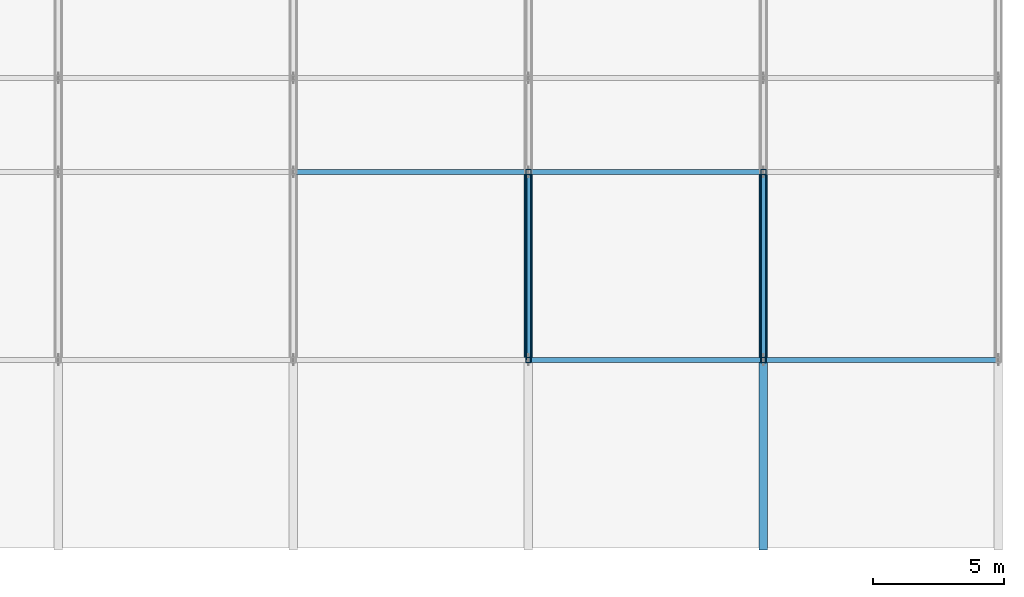
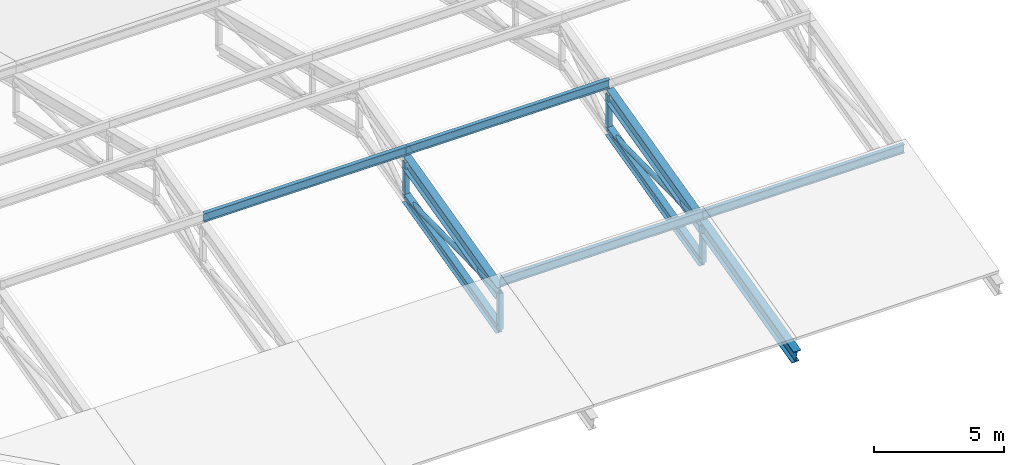
# One storey, part 45 of 124: 15 members.
"""IFC4 building model written with IfcOpenShell, lengths in metres."""

import ifcopenshell
import ifcopenshell.guid

model = None  # the IFC model being written
_history = None  # IfcOwnerHistory: only IFC2X3 demands one
_inside = {}  # id of a spatial element -> (the spatial element, [elements in it])
_under = {}  # id of a project, library or spatial element -> (it, [spatial elements below it])
_declared = {}  # id of a project -> (the project, [libraries it declares])
_typed = {}  # id of a type object -> (the type object, [elements of that type])
_made_of = {}  # id of a material, layer set ... -> (it, [elements and type objects made of it])


def new_model(schema):
    """Start an empty IFC model of exactly this schema.

    Asked for "IFC4X3", IfcOpenShell would pick the latest addendum, in which some entities
    have other attributes; the version numbers below select the first issue.
    IFC2X3 requires an IfcOwnerHistory on every rooted entity: one is made here for all.
    """
    global model, _history
    if schema == "IFC4X3":
        model = ifcopenshell.file(schema_version=(4, 3, 0, 0))
    else:
        model = ifcopenshell.file(schema=schema)
    _inside.clear()
    _under.clear()
    _declared.clear()
    _typed.clear()
    _made_of.clear()
    _history = None
    if model.schema == "IFC2X3":
        org = make("IfcOrganization", Name="unknown")
        user = make(
            "IfcPersonAndOrganization",
            ThePerson=make("IfcPerson", FamilyName="unknown"),
            TheOrganization=org,
        )
        app = make(
            "IfcApplication",
            ApplicationDeveloper=org,
            Version="unknown",
            ApplicationFullName="unknown",
            ApplicationIdentifier="unknown",
        )
        _history = make(
            "IfcOwnerHistory",
            OwningUser=user,
            OwningApplication=app,
            ChangeAction="ADDED",
            CreationDate=0,
        )
    return model


def make(cls, **values):
    """One entity of the class cls with the attributes given. An attribute that is None is left unset."""
    return model.create_entity(
        cls, **{name: value for name, value in values.items() if value is not None}
    )


def rooted(cls, **values):
    """An entity with a GlobalId (a new one), such as an element, a storey or a relation."""
    return make(cls, GlobalId=ifcopenshell.guid.new(), OwnerHistory=_history, **values)


def si_unit(unit_type, name, prefix=None):
    """IfcSIUnit, for example si_unit("LENGTHUNIT", "METRE", prefix="MILLI")."""
    return make("IfcSIUnit", UnitType=unit_type, Prefix=prefix, Name=name)


def assignment(units):
    """IfcUnitAssignment: the units of a project."""
    return None if units is None else make("IfcUnitAssignment", Units=units)


def point(xyz):
    """IfcCartesianPoint."""
    return None if xyz is None else make("IfcCartesianPoint", Coordinates=xyz)


def direction(xyz):
    """IfcDirection."""
    return None if xyz is None else make("IfcDirection", DirectionRatios=xyz)


def frame(location, z_axis=None, x_axis=None):
    """IfcAxis2Placement3D, a coordinate frame: its origin and axes. An axis left out is left unset."""
    return make(
        "IfcAxis2Placement3D",
        Location=point(location),
        Axis=direction(z_axis),
        RefDirection=direction(x_axis),
    )


def frame_2d(location, x_axis=None):
    """IfcAxis2Placement2D, a coordinate frame in the plane: its origin and x axis."""
    return make(
        "IfcAxis2Placement2D", Location=point(location), RefDirection=direction(x_axis)
    )


def origin():
    """The frame at (0, 0, 0) with its axes left unset."""
    return frame((0.0, 0.0, 0.0))


def origin_2d():
    """The frame at (0, 0) in the plane with its x axis left unset."""
    return frame_2d((0.0, 0.0))


def place(relative_to, where):
    """IfcLocalPlacement: puts the frame where relative to a parent placement (None: the world)."""
    return make(
        "IfcLocalPlacement", PlacementRelTo=relative_to, RelativePlacement=where
    )


def context(
    kind, dimensions, precision=None, world=None, true_north=None, identifier=None
):
    """IfcGeometricRepresentationContext, for example the 3D "Model" context."""
    return make(
        "IfcGeometricRepresentationContext",
        ContextIdentifier=identifier,
        ContextType=kind,
        CoordinateSpaceDimension=dimensions,
        Precision=precision,
        WorldCoordinateSystem=world,
        TrueNorth=true_north,
    )


def subcontext(parent, identifier, kind, view, scale=None):
    """IfcGeometricRepresentationSubContext, for example "Body" below "Model"."""
    return make(
        "IfcGeometricRepresentationSubContext",
        ContextIdentifier=identifier,
        ContextType=kind,
        ParentContext=parent,
        TargetScale=scale,
        TargetView=view,
    )


def project(units=None, contexts=None):
    """IfcProject with its units and contexts."""
    return rooted(
        "IfcProject",
        Name="project",
        RepresentationContexts=contexts,
        UnitsInContext=assignment(units),
    )


def spatial(cls, under=None, at=None, **own):
    """A site, building, storey or space (cls), placed at a placement, below another one or the project."""
    s = rooted(cls, ObjectPlacement=at, **own)
    if under is not None:
        _under.setdefault(under.id(), (under, []))[1].append(s)
    return s


def profile(cls, at=None, kind="AREA", **sizes):
    """A parametric profile (cls). Its sizes go by their IFC names, for example OverallWidth=200.0."""
    return make(cls, ProfileType=kind, Position=at, **sizes)


def hollow_rectangle(**sizes):
    """IfcRectangleHollowProfileDef."""
    return profile("IfcRectangleHollowProfileDef", **sizes)


def hollow_circle(**sizes):
    """IfcCircleHollowProfileDef."""
    return profile("IfcCircleHollowProfileDef", **sizes)


def i_section(**sizes):
    """IfcIShapeProfileDef."""
    return profile("IfcIShapeProfileDef", **sizes)


def extrude(swept, where, along, depth):
    """IfcExtrudedAreaSolid: the profile swept, set in the frame where, extruded along a direction by depth."""
    return make(
        "IfcExtrudedAreaSolid",
        SweptArea=swept,
        Position=where,
        ExtrudedDirection=direction(along),
        Depth=depth,
    )


def shape(context_of_items, identifier, shape_type, items):
    """IfcShapeRepresentation: the items that make up one representation, for example the "Body"."""
    return make(
        "IfcShapeRepresentation",
        ContextOfItems=context_of_items,
        RepresentationIdentifier=identifier,
        RepresentationType=shape_type,
        Items=items,
    )


def material(Name=None, Category=None):
    """IfcMaterial."""
    return make("IfcMaterial", Name=Name, Category=Category)


def material_profile(
    of_material, cross_section, Name=None, Category=None, Priority=None
):
    """IfcMaterialProfile: a cross section and its material."""
    return make(
        "IfcMaterialProfile",
        Name=Name,
        Material=of_material,
        Profile=cross_section,
        Priority=Priority,
        Category=Category,
    )


def profile_set(profiles, Name=None, composite=None):
    """IfcMaterialProfileSet."""
    return make(
        "IfcMaterialProfileSet",
        Name=Name,
        MaterialProfiles=profiles,
        CompositeProfile=composite,
    )


def made_of(thing, what):
    """Note that an element or type object is made of a material, layer set ...; save() writes the relation."""
    if what is not None:
        _made_of.setdefault(what.id(), (what, []))[1].append(thing)
    return thing


def type_object(cls, material=None, **own):
    """A type object (cls), such as IfcWallType, which elements share."""
    return made_of(rooted(cls, **own), material)


def element(
    cls,
    number,
    at=None,
    inside=None,
    cuts=None,
    type_object=None,
    material=None,
    context=None,
    identifier="Body",
    shape_type=None,
    held_by="IfcProductDefinitionShape",
    body=None,
    shapes=None,
    **own,
):
    """One element of the class cls, such as IfcWall. Its Tag is "e" and its number.

    at: its placement. inside: the storey or other place that contains it. cuts: it is an
    opening in that element (IfcRelVoidsElement). A single representation is given by context,
    identifier, shape_type and body (its items); several are given by shapes. held_by: the class
    of the entity that holds the representations. save() writes the other relations.
    """
    e = rooted(cls, Tag="e%d" % number, ObjectPlacement=at, **own)
    if body is not None:
        shapes = [shape(context, identifier, shape_type, body)]
    if shapes is not None:
        e.Representation = make(held_by, Representations=shapes)
    if inside is not None:
        _inside.setdefault(inside.id(), (inside, []))[1].append(e)
    if cuts is not None:
        rooted(
            "IfcRelVoidsElement", RelatingBuildingElement=cuts, RelatedOpeningElement=e
        )
    if type_object is not None:
        _typed.setdefault(type_object.id(), (type_object, []))[1].append(e)
    return made_of(e, material)


def aggregate(whole, parts):
    """IfcRelAggregates: a whole, such as a stair, and the parts it consists of."""
    return rooted("IfcRelAggregates", RelatingObject=whole, RelatedObjects=parts)


def save(model, path):
    """Write the relations noted so far, then the file.

    IfcRelAggregates (storeys below a building ...), IfcRelContainedInSpatialStructure (elements
    in a storey), IfcRelDefinesByType, IfcRelAssociatesMaterial and IfcRelDeclares: one each for
    every whole, place, type object, material and project.
    """
    for whole, parts in _under.values():
        aggregate(whole, parts)
    for where, things in _inside.values():
        rooted(
            "IfcRelContainedInSpatialStructure",
            RelatedElements=things,
            RelatingStructure=where,
        )
    for kind, things in _typed.values():
        rooted("IfcRelDefinesByType", RelatedObjects=things, RelatingType=kind)
    for what, things in _made_of.values():
        rooted("IfcRelAssociatesMaterial", RelatedObjects=things, RelatingMaterial=what)
    for by, libraries in _declared.values():
        rooted("IfcRelDeclares", RelatingContext=by, RelatedDefinitions=libraries)
    model.write(path)


model = new_model("IFC4")

# Units and contexts
model_context = context("Model", 3, precision=1e-05, world=origin(), true_north=direction((0.0, 1.0)))
body_context = subcontext(model_context, "Body", "Model", "MODEL_VIEW")
ifc_project = project(units=[si_unit("LENGTHUNIT", "METRE"), si_unit("AREAUNIT", "SQUARE_METRE"), si_unit("VOLUMEUNIT", "CUBIC_METRE"), si_unit("PLANEANGLEUNIT", "RADIAN"), si_unit("MASSUNIT", "GRAM", prefix="KILO")], contexts=[model_context])

# Site, building, storey
site_placement = place(None, origin())
site = spatial("IfcSite", under=ifc_project, at=site_placement, CompositionType="ELEMENT")
building_placement = place(site_placement, origin())
building = spatial("IfcBuilding", under=site, at=building_placement, Name="Celestram Park Convention Centre", CompositionType="ELEMENT")
storey_placement = place(building_placement, frame((0.0, 0.0, 15.300048828125)))
storey = spatial("IfcBuildingStorey", under=building, at=storey_placement, Name="L03", CompositionType="ELEMENT", Elevation=15.300048828125)

# Members
ifc_material_1 = material(Name="Steel ASTM A500 Grade C", Category="steel")
ifc_material_profile_1 = material_profile(ifc_material_1, hollow_circle(Radius=0.109619140625, WallThickness=0.008056640625, at=origin_2d()), Name="CHS219X8")
ifc_profile_set_1 = profile_set([ifc_material_profile_1], Name="Steel ASTM A500 Grade C")
member_type_1 = type_object("IfcMemberType", Name="STR-BRC-CHS219", PredefinedType="BRACE", material=ifc_profile_set_1)
for number, where, z_axis, x_axis, name in (
    (1, (198.0, 7.199951171875, 0.907958984375), (0.0, 0.999903373607, 0.013901203187), (-1.0, 0.0, 0.0), "V3 arch web diagonal"),
    (2, (207.0, 7.199951171875, 0.907958984375), (0.0, 0.999903373607, 0.013901203187), (-1.0, 0.0, 0.0), "V3 arch web diagonal"),
):
    element("IfcMember", number, at=place(storey_placement, frame(where, z_axis=z_axis, x_axis=x_axis)), inside=storey, type_object=member_type_1, Name=name, PredefinedType="BRACE", context=body_context, shape_type="SweptSolid", body=[
        extrude(hollow_circle(Radius=0.109619140625, WallThickness=0.008056640625, at=origin_2d()), origin(), (0.0, 0.0, 1.0), 7.20068359375),
    ])
ifc_material_2 = material(Name="Steel ASTM A992 Grade 50", Category="steel")
ifc_material_profile_2 = material_profile(ifc_material_2, i_section(OverallWidth=0.281982421875, OverallDepth=0.467041015625, WebThickness=0.01220703125, FlangeThickness=0.01953125, at=origin_2d()), Name="W18X86")
ifc_profile_set_2 = profile_set([ifc_material_profile_2], Name="Steel ASTM A992 Grade 50")
member_type_2 = type_object("IfcMemberType", Name="STR-CHD-W18X86", PredefinedType="CHORD", material=ifc_profile_set_2)
for number, where, z_axis, x_axis, name in (
    (3, (198.0, 7.199951171875, -0.7919921875), (0.0, 0.970140565046, 0.242543365301), (-1.0, 0.0, 0.0), "V3 arch bottom chord"),
    (4, (207.0, 7.199951171875, -0.7919921875), (0.0, 0.970140565046, 0.242543365301), (-1.0, 0.0, 0.0), "V3 arch bottom chord"),
):
    element("IfcMember", number, at=place(storey_placement, frame(where, z_axis=z_axis, x_axis=x_axis)), inside=storey, type_object=member_type_2, Name=name, PredefinedType="CHORD", context=body_context, shape_type="SweptSolid", body=[
        extrude(i_section(OverallWidth=0.281982421875, OverallDepth=0.467041015625, WebThickness=0.01220703125, FlangeThickness=0.01953125, at=origin_2d()), origin(), (0.0, 0.0, 1.0), 7.421630859375),
    ])
ifc_material_profile_3 = material_profile(ifc_material_2, i_section(OverallWidth=0.327880859375, OverallDepth=0.6220703125, WebThickness=0.015380859375, FlangeThickness=0.0244140625, at=origin_2d()), Name="W24X131")
ifc_profile_set_3 = profile_set([ifc_material_profile_3], Name="Steel ASTM A992 Grade 50")
member_type_3 = type_object("IfcMemberType", Name="STR-CHD-W24X131", PredefinedType="CHORD", material=ifc_profile_set_3)
for number, where, z_axis, x_axis, name in (
    (5, (198.0, 7.199951171875, 0.907958984375), (0.0, 0.970140565046, 0.242543365301), (-1.0, 0.0, 0.0), "V3 arch top chord"),
    (6, (207.0, 0.0, -0.89208984375), (0.0, 0.970140565046, 0.242543365301), (-1.0, 0.0, 0.0), "V3 arch top chord"),
    (7, (207.0, 7.199951171875, 0.907958984375), (0.0, 0.970140565046, 0.242543365301), (-1.0, 0.0, 0.0), "V3 arch top chord"),
):
    element("IfcMember", number, at=place(storey_placement, frame(where, z_axis=z_axis, x_axis=x_axis)), inside=storey, type_object=member_type_3, Name=name, PredefinedType="CHORD", context=body_context, shape_type="SweptSolid", body=[
        extrude(i_section(OverallWidth=0.327880859375, OverallDepth=0.6220703125, WebThickness=0.015380859375, FlangeThickness=0.0244140625, at=origin_2d()), origin(), (0.0, 0.0, 1.0), 7.421630859375),
    ])
ifc_material_profile_4 = material_profile(ifc_material_2, i_section(OverallWidth=0.177978515625, OverallDepth=0.406005859375, WebThickness=0.0078125, FlangeThickness=0.0126953125, at=origin_2d()), Name="W16X40")
ifc_profile_set_4 = profile_set([ifc_material_profile_4], Name="Steel ASTM A992 Grade 50")
member_type_4 = type_object("IfcMemberType", Name="STR-RFT-W16X40", PredefinedType="RAFTER", material=ifc_profile_set_4)
for number, where, z_axis, x_axis, name in (
    (8, (189.0, 14.39990234375, 3.221923828125), (1.0, 0.0, 0.0), (0.0, 1.0, 0.0), "V3 roof purlin"),
    (9, (198.0, 7.199951171875, 1.421875), (1.0, 0.0, 0.0), (0.0, 1.0, 0.0), "V3 roof purlin"),
    (10, (198.0, 14.39990234375, 3.221923828125), (1.0, 0.0, 0.0), (0.0, 1.0, 0.0), "V3 roof purlin"),
):
    element("IfcMember", number, at=place(storey_placement, frame(where, z_axis=z_axis, x_axis=x_axis)), inside=storey, type_object=member_type_4, Name=name, PredefinedType="RAFTER", context=body_context, shape_type="SweptSolid", body=[
        extrude(i_section(OverallWidth=0.177978515625, OverallDepth=0.406005859375, WebThickness=0.0078125, FlangeThickness=0.0126953125, at=origin_2d()), origin(), (0.0, 0.0, 1.0), 9.0),
    ])
member_placement = place(storey_placement, frame((207.0, 7.199951171875, 1.421875), z_axis=(1.0, 0.0, 0.0), x_axis=(0.0, 1.0, 0.0)))
element("IfcMember", 11, at=member_placement, inside=storey, type_object=member_type_4, Name="V3 roof purlin", PredefinedType="RAFTER", context=body_context, shape_type="SweptSolid", body=[
    extrude(i_section(OverallWidth=0.177978515625, OverallDepth=0.406005859375, WebThickness=0.0078125, FlangeThickness=0.0126953125, at=origin_2d()), origin(), (0.0, 0.0, 1.0), 8.919921875),
])
ifc_material_profile_5 = material_profile(ifc_material_1, hollow_rectangle(XDim=0.199951171875, YDim=0.199951171875, WallThickness=0.010009765625, at=origin_2d()), Name="HSS200X200X10")
ifc_profile_set_5 = profile_set([ifc_material_profile_5], Name="Steel ASTM A500 Grade C")
member_type_5 = type_object("IfcMemberType", Name="STR-STR-HSS200", PredefinedType="STRUT", material=ifc_profile_set_5)
for number, where, z_axis, x_axis, name in (
    (12, (198.0, 7.199951171875, -0.7919921875), (0.0, 0.0, 1.0), (1.0, 0.0, 0.0), "V3 arch vertical strut"),
    (13, (198.0, 14.39990234375, 1.008056640625), (0.0, 0.0, 1.0), (1.0, 0.0, 0.0), "V3 arch vertical strut"),
    (14, (207.0, 7.199951171875, -0.7919921875), (0.0, 0.0, 1.0), (1.0, 0.0, 0.0), "V3 arch vertical strut"),
    (15, (207.0, 14.39990234375, 1.008056640625), (0.0, 0.0, 1.0), (1.0, 0.0, 0.0), "V3 arch vertical strut"),
):
    element("IfcMember", number, at=place(storey_placement, frame(where, z_axis=z_axis, x_axis=x_axis)), inside=storey, type_object=member_type_5, Name=name, PredefinedType="STRUT", context=body_context, shape_type="SweptSolid", body=[
        extrude(hollow_rectangle(XDim=0.199951171875, YDim=0.199951171875, WallThickness=0.010009765625, at=origin_2d()), origin(), (0.0, 0.0, 1.0), 1.699951171875),
    ])

save(model, "model.ifc")
